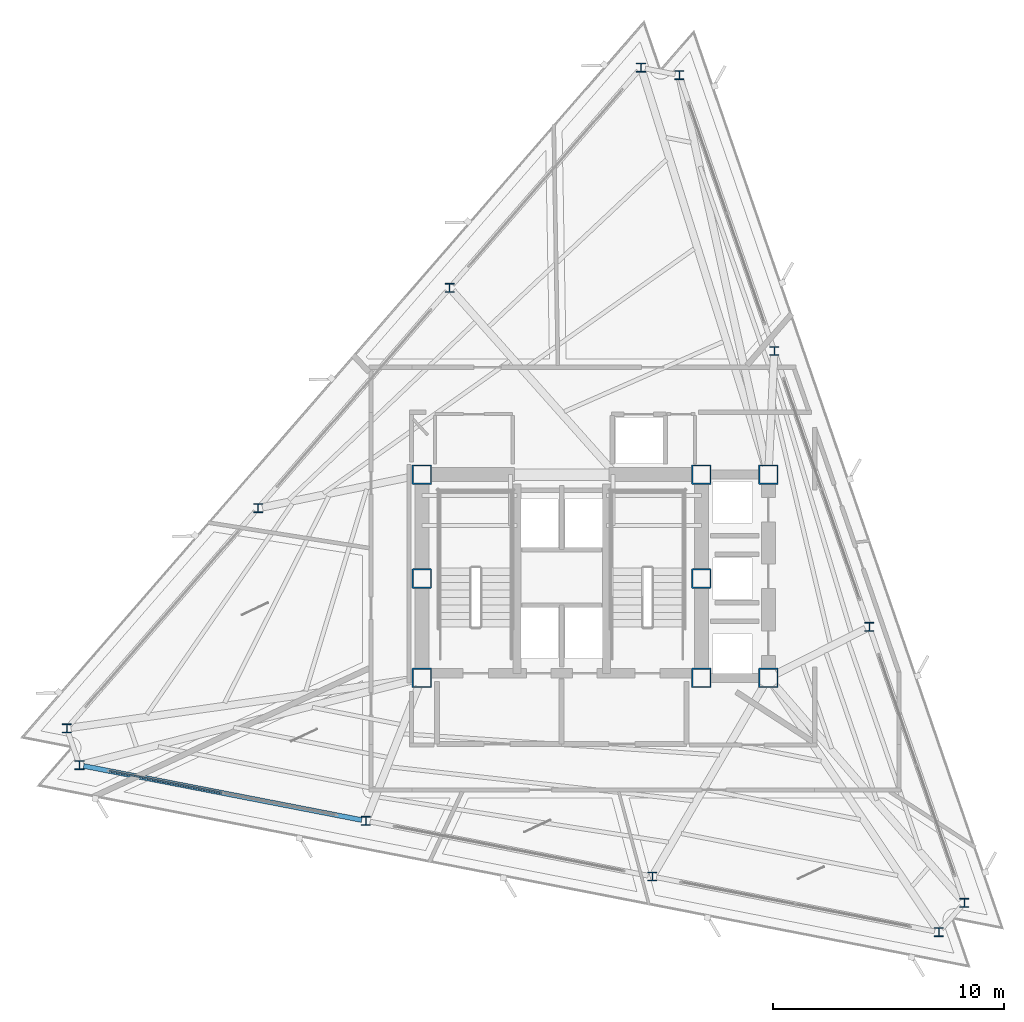
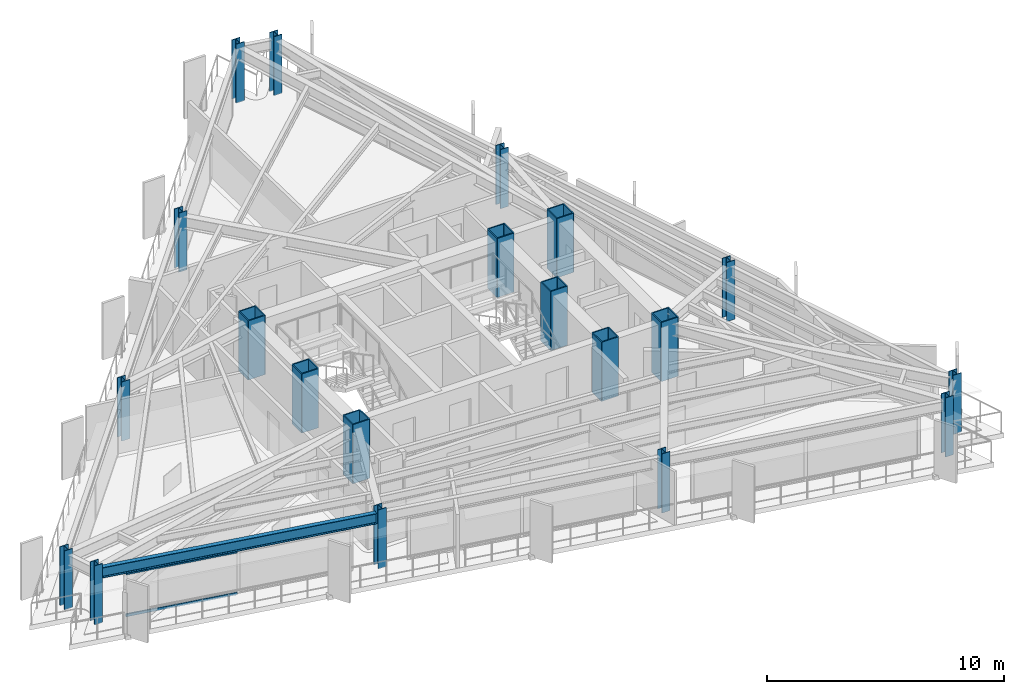
# One storey, part 1 of 13: 20 columns, 2 members, 1 beam, 1 element without a shape of its own.
"""IFC4 building model written with IfcOpenShell, lengths in metres."""

from ifc_helpers import new_model, si_unit, direction, frame, origin, origin_2d, place, context, subcontext, project, spatial, rectangle, hollow_rectangle, i_section, extrude, material, layer, layer_set, material_profile, profile_set, type_object, element, aggregate, save


model = new_model("IFC4")

# Units and contexts
model_context = context("Model", 3, precision=1e-05, world=origin(), true_north=direction((0.0, 1.0)))
body_context = subcontext(model_context, "Body", "Model", "MODEL_VIEW")
ifc_project = project(units=[si_unit("LENGTHUNIT", "METRE"), si_unit("AREAUNIT", "SQUARE_METRE"), si_unit("VOLUMEUNIT", "CUBIC_METRE"), si_unit("PLANEANGLEUNIT", "RADIAN"), si_unit("MASSUNIT", "GRAM", prefix="KILO")], contexts=[model_context])

# Site, building, storey
site_placement = place(None, origin())
site = spatial("IfcSite", under=ifc_project, at=site_placement, CompositionType="ELEMENT")
building_placement = place(site_placement, origin())
building = spatial("IfcBuilding", under=site, at=building_placement, Name="Rocaltana Carrier Exchange", CompositionType="ELEMENT")
storey_placement = place(building_placement, frame((0.0, 0.0, 159.360107421875)))
storey = spatial("IfcBuildingStorey", under=building, at=storey_placement, Name="L50", CompositionType="ELEMENT", Elevation=159.360107421875)

# Columns
ifc_material_1 = material(Name="Steel S460", Category="steel")
ifc_material_profile_1 = material_profile(ifc_material_1, hollow_rectangle(XDim=0.85009765625, YDim=0.85009765625, WallThickness=0.054931640625, InnerFilletRadius=0.02001953125, OuterFilletRadius=0.0400390625, at=origin_2d()), Name="BOX850X850X55")
ifc_profile_set_1 = profile_set([ifc_material_profile_1], Name="Steel S460")
column_type_1 = type_object("IfcColumnType", Name="Core Mega-Column BOX850", PredefinedType="COLUMN", material=ifc_profile_set_1)
for number, where, z_axis, x_axis, name in (
    (1, (-6.050048828125, 4.5, 0.0), (0.0, 0.0, 1.0), (1.0, 0.0, 0.0), "L50 Core Mega-Column MC1"),
    (2, (6.050048828125, 4.5, 0.0), (0.0, 0.0, 1.0), (1.0, 0.0, 0.0), "L50 Core Mega-Column MC2"),
    (3, (-6.050048828125, 0.0, 0.0), (0.0, 0.0, 1.0), (1.0, 0.0, 0.0), "L50 Core Mega-Column MC3"),
    (4, (6.050048828125, 0.0, 0.0), (0.0, 0.0, 1.0), (1.0, 0.0, 0.0), "L50 Core Mega-Column MC4"),
    (5, (-6.050048828125, -4.300048828125, 0.0), (0.0, 0.0, 1.0), (1.0, 0.0, 0.0), "L50 Core Mega-Column MC5"),
    (6, (6.050048828125, -4.300048828125, 0.0), (0.0, 0.0, 1.0), (1.0, 0.0, 0.0), "L50 Core Mega-Column MC6"),
    (7, (8.949951171875, 4.5, 0.0), (0.0, 0.0, 1.0), (1.0, 0.0, 0.0), "L50 East Core Column EC1"),
    (8, (8.949951171875, -4.300048828125, 0.0), (0.0, 0.0, 1.0), (1.0, 0.0, 0.0), "L50 East Core Column EC2"),
):
    element("IfcColumn", number, at=place(storey_placement, frame(where, z_axis=z_axis, x_axis=x_axis)), inside=storey, type_object=column_type_1, Name=name, PredefinedType="COLUMN", context=body_context, shape_type="SweptSolid", body=[
        extrude(hollow_rectangle(XDim=0.85009765625, YDim=0.85009765625, WallThickness=0.054931640625, InnerFilletRadius=0.02001953125, OuterFilletRadius=0.0400390625, at=origin_2d()), origin(), (0.0, 0.0, 1.0), 3.039794921875),
    ])
ifc_material_2 = material(Name="Steel S355", Category="steel")
ifc_material_profile_2 = material_profile(ifc_material_2, i_section(OverallWidth=0.39794921875, OverallDepth=0.386962890625, WebThickness=0.02099609375, FlangeThickness=0.033203125, FilletRadius=0.01806640625, at=origin_2d()), Name="W14X176")
ifc_profile_set_2 = profile_set([ifc_material_profile_2], Name="Steel S355")
column_type_2 = type_object("IfcColumnType", Name="Perimeter Column W14X176", PredefinedType="COLUMN", material=ifc_profile_set_2)
for number, where, z_axis, x_axis, name in (
    (9, (17.43408203125, -14.038818359375, 0.0), (0.0, 0.0, 1.0), (1.0, 0.0, 0.0), "L50 Perimeter Column TC01"),
    (10, (13.321044921875, -2.09375, 0.0), (0.0, 0.0, 1.0), (1.0, 0.0, 0.0), "L50 Perimeter Column TC02"),
    (11, (9.2080078125, 9.851318359375, 0.0), (0.0, 0.0, 1.0), (1.0, 0.0, 0.0), "L50 Perimeter Column TC03"),
    (12, (5.094970703125, 21.79638671875, 0.0), (0.0, 0.0, 1.0), (1.0, 0.0, 0.0), "L50 Perimeter Column TC04"),
    (13, (3.44091796875, 22.117919921875, 0.0), (0.0, 0.0, 1.0), (1.0, 0.0, 0.0), "L50 Perimeter Column TC05"),
    (14, (-4.84716796875, 12.583251953125, 0.0), (0.0, 0.0, 1.0), (1.0, 0.0, 0.0), "L50 Perimeter Column TC06"),
    (15, (-13.135498046875, 3.048828125, 0.0), (0.0, 0.0, 1.0), (1.0, 0.0, 0.0), "L50 Perimeter Column TC07"),
    (16, (-21.423583984375, -6.485595703125, 0.0), (0.0, 0.0, 1.0), (1.0, 0.0, 0.0), "L50 Perimeter Column TC08"),
    (17, (-20.875, -8.078857421875, 0.0), (0.0, 0.0, 1.0), (1.0, 0.0, 0.0), "L50 Perimeter Column TC09"),
    (18, (-8.473876953125, -10.489501953125, 0.0), (0.0, 0.0, 1.0), (1.0, 0.0, 0.0), "L50 Perimeter Column TC10"),
    (19, (3.927490234375, -12.89990234375, 0.0), (0.0, 0.0, 1.0), (1.0, 0.0, 0.0), "L50 Perimeter Column TC11"),
    (20, (16.32861328125, -15.310546875, 0.0), (0.0, 0.0, 1.0), (1.0, 0.0, 0.0), "L50 Perimeter Column TC12"),
):
    element("IfcColumn", number, at=place(storey_placement, frame(where, z_axis=z_axis, x_axis=x_axis)), inside=storey, type_object=column_type_2, Name=name, PredefinedType="COLUMN", context=body_context, shape_type="SweptSolid", body=[
        extrude(i_section(OverallWidth=0.39794921875, OverallDepth=0.386962890625, WebThickness=0.02099609375, FlangeThickness=0.033203125, FilletRadius=0.01806640625, at=origin_2d()), origin(), (0.0, 0.0, 1.0), 3.039794921875),
    ])

# Curtain wall, members
ifc_material_3 = material(Name="Aluminium 6063-T6", Category="aluminium")
ifc_layer = layer(ifc_material_3, 0.135009765625)
ifc_layer_set = layer_set([ifc_layer], Name="Aluminium 6063-T6")
curtain_wall_type = type_object("IfcCurtainWallType", Name="Upper-Mid Acoustic Curtain Wall CW-04", PredefinedType="NOTDEFINED", material=ifc_layer_set)
curtain_wall_placement = place(storey_placement, origin())
curtain_wall = element("IfcCurtainWall", 21, at=curtain_wall_placement, inside=storey, type_object=curtain_wall_type, Name="L50 CW-04 Run CW-L50-F3S1", PredefinedType="NOTDEFINED")
ifc_material_4 = material(Name="Aluminium 6063-T6", Category="aluminium")
ifc_material_profile_3 = material_profile(ifc_material_4, rectangle(XDim=0.06494140625, YDim=0.135009765625, at=origin_2d()), Name="AL-65X135")
ifc_profile_set_3 = profile_set([ifc_material_profile_3], Name="Aluminium 6063-T6")
member_type = type_object("IfcMemberType", Name="CW-04 Transom AL-65X135", PredefinedType="USERDEFINED", material=ifc_profile_set_3)
member_1_placement = place(storey_placement, frame((-19.584228515625, -8.329833984375, 0.032470703125), z_axis=(0.981633795462, -0.190774976365, 0.0), x_axis=(0.190774976365, 0.981633795462, 0.0)))
member_1 = element("IfcMember", 22, at=member_1_placement, type_object=member_type, Name="CW-04 transom 1.1", ObjectType="TRANSOM", PredefinedType="USERDEFINED", context=body_context, shape_type="SweptSolid", body=[
    extrude(rectangle(XDim=0.06494140625, YDim=0.135009765625, at=origin_2d()), origin(), (0.0, 0.0, 1.0), 4.96923828125),
])
member_2_placement = place(storey_placement, frame((-19.584228515625, -8.329833984375, 2.185302734375), z_axis=(0.981633795462, -0.190774976365, 0.0), x_axis=(0.190774976365, 0.981633795462, 0.0)))
member_2 = element("IfcMember", 23, at=member_2_placement, type_object=member_type, Name="CW-04 transom 1.2", ObjectType="TRANSOM", PredefinedType="USERDEFINED", context=body_context, shape_type="SweptSolid", body=[
    extrude(rectangle(XDim=0.06494140625, YDim=0.135009765625, at=origin_2d()), origin(), (0.0, 0.0, 1.0), 4.96923828125),
])
aggregate(curtain_wall, [member_1, member_2])

# Beam
ifc_material_5 = material(Name="Steel S355", Category="steel")
ifc_material_profile_4 = material_profile(ifc_material_5, i_section(OverallWidth=0.2119140625, OverallDepth=0.5439453125, WebThickness=0.01318359375, FlangeThickness=0.021240234375, FilletRadius=0.014892578125, at=origin_2d()), Name="W21X83")
ifc_profile_set_4 = profile_set([ifc_material_profile_4], Name="Steel S355")
beam_type = type_object("IfcBeamType", Name="Spandrel Edge Beam W21X83", PredefinedType="SPANDREL", material=ifc_profile_set_4)
beam_placement = place(storey_placement, frame((-20.693115234375, -8.1142578125, 2.515869140625), z_axis=(0.981626164488, -0.190814237394, 0.0), x_axis=(0.190814237394, 0.981626164488, 0.0)))
element("IfcBeam", 24, at=beam_placement, inside=storey, type_object=beam_type, Name="SP-L50-09", PredefinedType="SPANDREL", context=body_context, shape_type="SweptSolid", body=[
    extrude(i_section(OverallWidth=0.2119140625, OverallDepth=0.5439453125, WebThickness=0.01318359375, FlangeThickness=0.021240234375, FilletRadius=0.014892578125, at=origin_2d()), origin(), (0.0, 0.0, 1.0), 12.262451171875),
])

save(model, "model.ifc")
